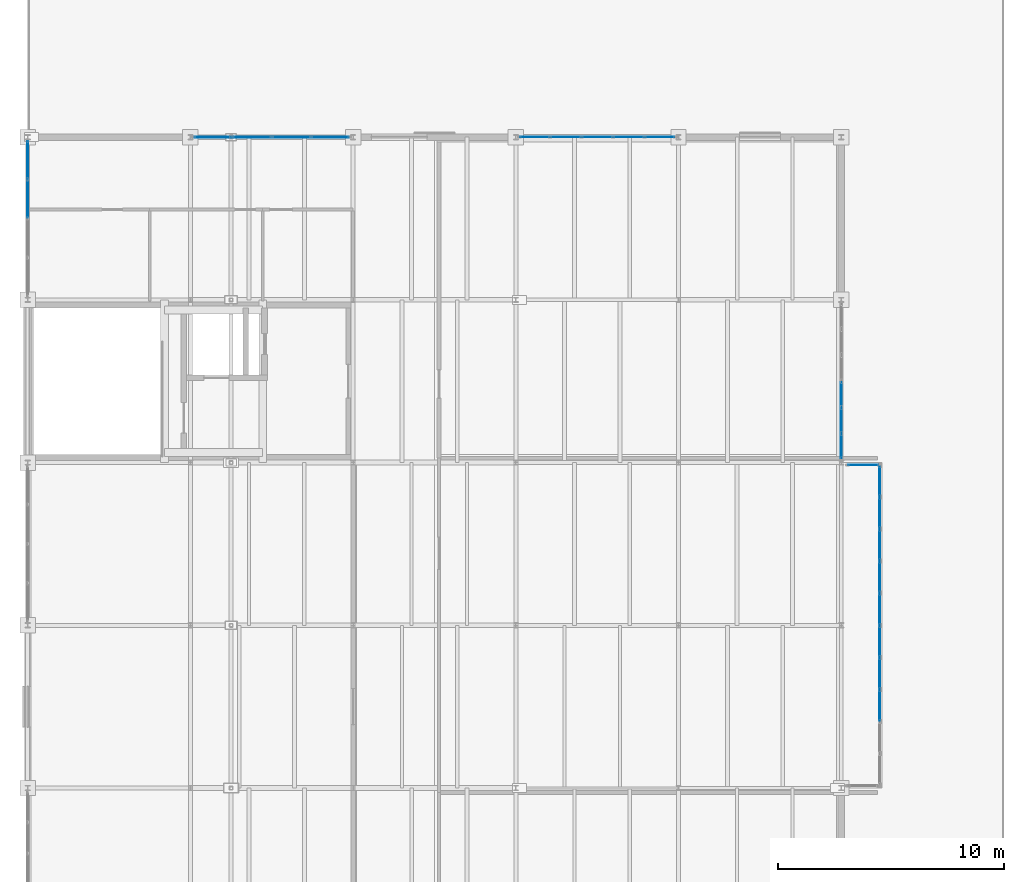
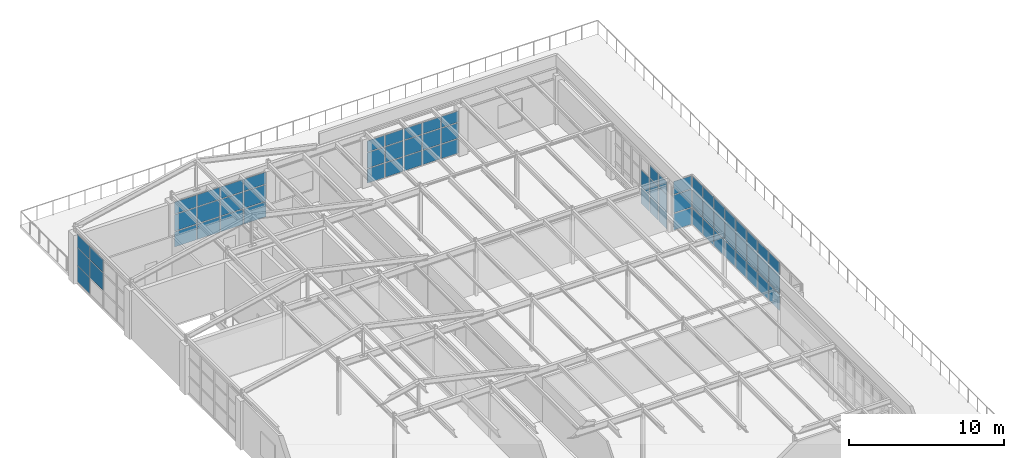
# One storey, part 38 of 43: 67 plates, 6 elements without a shape of their own.
"""IFC4 building model written with IfcOpenShell, lengths in metres."""

from ifc_helpers import new_model, si_unit, direction, frame, origin, origin_2d, place, context, subcontext, project, spatial, rectangle, extrude, material, layer, layer_set, type_object, element, aggregate, save


model = new_model("IFC4")

# Units and contexts
model_context = context("Model", 3, precision=1e-05, world=origin(), true_north=direction((0.0, 1.0)))
body_context = subcontext(model_context, "Body", "Model", "MODEL_VIEW")
ifc_project = project(units=[si_unit("LENGTHUNIT", "METRE"), si_unit("AREAUNIT", "SQUARE_METRE"), si_unit("VOLUMEUNIT", "CUBIC_METRE"), si_unit("PLANEANGLEUNIT", "RADIAN"), si_unit("MASSUNIT", "GRAM", prefix="KILO")], contexts=[model_context])

# Site, building, storey
site_placement = place(None, origin())
site = spatial("IfcSite", under=ifc_project, at=site_placement, CompositionType="ELEMENT")
building_placement = place(site_placement, origin())
building = spatial("IfcBuilding", under=site, at=building_placement, Name="Kemerveld Promenade Tramway Depot", CompositionType="ELEMENT")
storey_placement = place(building_placement, frame((0.0, 0.0, 18.89990234375)))
storey = spatial("IfcBuildingStorey", under=building, at=storey_placement, Name="L04", CompositionType="ELEMENT", Elevation=18.89990234375)

# Curtain wall, plates
ifc_material_1 = material(Name="Bronze anodised aluminium and solar glass", Category="aluminium")
ifc_layer_1 = layer(ifc_material_1, 0.199951171875)
ifc_layer_set_1 = layer_set([ifc_layer_1], Name="CW-SYS-02")
curtain_wall_type_1 = type_object("IfcCurtainWallType", Name="CW-SYS-02", PredefinedType="USERDEFINED", material=ifc_layer_set_1)
curtain_wall_1_placement = place(storey_placement, origin())
curtain_wall_1 = element("IfcCurtainWall", 1, at=curtain_wall_1_placement, inside=storey, type_object=curtain_wall_type_1, Name="CW-L04-CUMBA-E", ObjectType="GLAZED_CURTAIN_WALL", PredefinedType="USERDEFINED")
ifc_material_2 = material(Name="Solar-control laminated double glazing", Category="glass")
ifc_layer_2 = layer(ifc_material_2, 0.028076171875)
ifc_layer_set_2 = layer_set([ifc_layer_2], Name="CW-PNL-02")
plate_type_1 = type_object("IfcPlateType", Name="CW-PNL-02", PredefinedType="CURTAIN_PANEL", material=ifc_layer_set_2)
plate_1_placement = place(storey_placement, frame((37.699951171875, 42.371337890625, 0.06494140625), z_axis=(0.0, 0.0, 1.0), x_axis=(0.0, -1.0, 0.0)))
plate_1 = element("IfcPlate", 2, at=plate_1_placement, type_object=plate_type_1, Name="CW02 panel 1.1", PredefinedType="CURTAIN_PANEL", context=body_context, shape_type="SweptSolid", body=[
    extrude(rectangle(XDim=1.3076171875, YDim=0.028076171875, at=origin_2d()), origin(), (0.0, 0.0, 1.0), 1.284423828125),
])
plate_2_placement = place(storey_placement, frame((37.699951171875, 42.371337890625, 1.41455078125), z_axis=(0.0, 0.0, 1.0), x_axis=(0.0, -1.0, 0.0)))
plate_2 = element("IfcPlate", 3, at=plate_2_placement, type_object=plate_type_1, Name="CW02 panel 1.2", PredefinedType="CURTAIN_PANEL", context=body_context, shape_type="SweptSolid", body=[
    extrude(rectangle(XDim=1.3076171875, YDim=0.028076171875, at=origin_2d()), origin(), (0.0, 0.0, 1.0), 1.39697265625),
])
plate_3_placement = place(storey_placement, frame((37.699951171875, 42.371337890625, 2.87646484375), z_axis=(0.0, 0.0, 1.0), x_axis=(0.0, -1.0, 0.0)))
plate_3 = element("IfcPlate", 4, at=plate_3_placement, type_object=plate_type_1, Name="CW02 panel 1.3", PredefinedType="CURTAIN_PANEL", context=body_context, shape_type="SweptSolid", body=[
    extrude(rectangle(XDim=1.3076171875, YDim=0.028076171875, at=origin_2d()), origin(), (0.0, 0.0, 1.0), 1.008544921875),
])
plate_4_placement = place(storey_placement, frame((37.699951171875, 40.969970703125, 0.06494140625), z_axis=(0.0, 0.0, 1.0), x_axis=(0.0, -1.0, 0.0)))
plate_4 = element("IfcPlate", 5, at=plate_4_placement, type_object=plate_type_1, Name="CW02 panel 2.1", PredefinedType="CURTAIN_PANEL", context=body_context, shape_type="SweptSolid", body=[
    extrude(rectangle(XDim=1.344970703125, YDim=0.028076171875, at=origin_2d()), origin(), (0.0, 0.0, 1.0), 1.284423828125),
])
plate_5_placement = place(storey_placement, frame((37.699951171875, 40.969970703125, 1.41455078125), z_axis=(0.0, 0.0, 1.0), x_axis=(0.0, -1.0, 0.0)))
plate_5 = element("IfcPlate", 6, at=plate_5_placement, type_object=plate_type_1, Name="CW02 panel 2.2", PredefinedType="CURTAIN_PANEL", context=body_context, shape_type="SweptSolid", body=[
    extrude(rectangle(XDim=1.344970703125, YDim=0.028076171875, at=origin_2d()), origin(), (0.0, 0.0, 1.0), 1.39697265625),
])
plate_6_placement = place(storey_placement, frame((37.699951171875, 40.969970703125, 2.87646484375), z_axis=(0.0, 0.0, 1.0), x_axis=(0.0, -1.0, 0.0)))
plate_6 = element("IfcPlate", 7, at=plate_6_placement, type_object=plate_type_1, Name="CW02 panel 2.3", PredefinedType="CURTAIN_PANEL", context=body_context, shape_type="SweptSolid", body=[
    extrude(rectangle(XDim=1.344970703125, YDim=0.028076171875, at=origin_2d()), origin(), (0.0, 0.0, 1.0), 1.008544921875),
])
plate_7_placement = place(storey_placement, frame((37.699951171875, 39.550048828125, 0.06494140625), z_axis=(0.0, 0.0, 1.0), x_axis=(0.0, -1.0, 0.0)))
plate_7 = element("IfcPlate", 8, at=plate_7_placement, type_object=plate_type_1, Name="CW02 panel 3.1", PredefinedType="CURTAIN_PANEL", context=body_context, shape_type="SweptSolid", body=[
    extrude(rectangle(XDim=1.344970703125, YDim=0.028076171875, at=origin_2d()), origin(), (0.0, 0.0, 1.0), 1.284423828125),
])
plate_8_placement = place(storey_placement, frame((37.699951171875, 39.550048828125, 1.41455078125), z_axis=(0.0, 0.0, 1.0), x_axis=(0.0, -1.0, 0.0)))
plate_8 = element("IfcPlate", 9, at=plate_8_placement, type_object=plate_type_1, Name="CW02 panel 3.2", PredefinedType="CURTAIN_PANEL", context=body_context, shape_type="SweptSolid", body=[
    extrude(rectangle(XDim=1.344970703125, YDim=0.028076171875, at=origin_2d()), origin(), (0.0, 0.0, 1.0), 1.39697265625),
])
plate_9_placement = place(storey_placement, frame((37.699951171875, 39.550048828125, 2.87646484375), z_axis=(0.0, 0.0, 1.0), x_axis=(0.0, -1.0, 0.0)))
plate_9 = element("IfcPlate", 10, at=plate_9_placement, type_object=plate_type_1, Name="CW02 panel 3.3", PredefinedType="CURTAIN_PANEL", context=body_context, shape_type="SweptSolid", body=[
    extrude(rectangle(XDim=1.344970703125, YDim=0.028076171875, at=origin_2d()), origin(), (0.0, 0.0, 1.0), 1.008544921875),
])
plate_10_placement = place(storey_placement, frame((37.699951171875, 38.1298828125, 0.06494140625), z_axis=(0.0, 0.0, 1.0), x_axis=(0.0, -1.0, 0.0)))
plate_10 = element("IfcPlate", 11, at=plate_10_placement, type_object=plate_type_1, Name="CW02 panel 4.1", PredefinedType="CURTAIN_PANEL", context=body_context, shape_type="SweptSolid", body=[
    extrude(rectangle(XDim=1.344970703125, YDim=0.028076171875, at=origin_2d()), origin(), (0.0, 0.0, 1.0), 1.284423828125),
])
plate_11_placement = place(storey_placement, frame((37.699951171875, 38.1298828125, 1.41455078125), z_axis=(0.0, 0.0, 1.0), x_axis=(0.0, -1.0, 0.0)))
plate_11 = element("IfcPlate", 12, at=plate_11_placement, type_object=plate_type_1, Name="CW02 panel 4.2", PredefinedType="CURTAIN_PANEL", context=body_context, shape_type="SweptSolid", body=[
    extrude(rectangle(XDim=1.344970703125, YDim=0.028076171875, at=origin_2d()), origin(), (0.0, 0.0, 1.0), 1.39697265625),
])
plate_12_placement = place(storey_placement, frame((37.699951171875, 38.1298828125, 2.87646484375), z_axis=(0.0, 0.0, 1.0), x_axis=(0.0, -1.0, 0.0)))
plate_12 = element("IfcPlate", 13, at=plate_12_placement, type_object=plate_type_1, Name="CW02 panel 4.3", PredefinedType="CURTAIN_PANEL", context=body_context, shape_type="SweptSolid", body=[
    extrude(rectangle(XDim=1.344970703125, YDim=0.028076171875, at=origin_2d()), origin(), (0.0, 0.0, 1.0), 1.008544921875),
])
plate_13_placement = place(storey_placement, frame((37.699951171875, 36.7099609375, 0.06494140625), z_axis=(0.0, 0.0, 1.0), x_axis=(0.0, -1.0, 0.0)))
plate_13 = element("IfcPlate", 14, at=plate_13_placement, type_object=plate_type_1, Name="CW02 panel 5.1", PredefinedType="CURTAIN_PANEL", context=body_context, shape_type="SweptSolid", body=[
    extrude(rectangle(XDim=1.344970703125, YDim=0.028076171875, at=origin_2d()), origin(), (0.0, 0.0, 1.0), 1.284423828125),
])
plate_14_placement = place(storey_placement, frame((37.699951171875, 36.7099609375, 1.41455078125), z_axis=(0.0, 0.0, 1.0), x_axis=(0.0, -1.0, 0.0)))
plate_14 = element("IfcPlate", 15, at=plate_14_placement, type_object=plate_type_1, Name="CW02 panel 5.2", PredefinedType="CURTAIN_PANEL", context=body_context, shape_type="SweptSolid", body=[
    extrude(rectangle(XDim=1.344970703125, YDim=0.028076171875, at=origin_2d()), origin(), (0.0, 0.0, 1.0), 1.39697265625),
])
plate_15_placement = place(storey_placement, frame((37.699951171875, 36.7099609375, 2.87646484375), z_axis=(0.0, 0.0, 1.0), x_axis=(0.0, -1.0, 0.0)))
plate_15 = element("IfcPlate", 16, at=plate_15_placement, type_object=plate_type_1, Name="CW02 panel 5.3", PredefinedType="CURTAIN_PANEL", context=body_context, shape_type="SweptSolid", body=[
    extrude(rectangle(XDim=1.344970703125, YDim=0.028076171875, at=origin_2d()), origin(), (0.0, 0.0, 1.0), 1.008544921875),
])
plate_16_placement = place(storey_placement, frame((37.699951171875, 35.2900390625, 0.06494140625), z_axis=(0.0, 0.0, 1.0), x_axis=(0.0, -1.0, 0.0)))
plate_16 = element("IfcPlate", 17, at=plate_16_placement, type_object=plate_type_1, Name="CW02 panel 6.1", PredefinedType="CURTAIN_PANEL", context=body_context, shape_type="SweptSolid", body=[
    extrude(rectangle(XDim=1.344970703125, YDim=0.028076171875, at=origin_2d()), origin(), (0.0, 0.0, 1.0), 1.284423828125),
])
plate_17_placement = place(storey_placement, frame((37.699951171875, 35.2900390625, 1.41455078125), z_axis=(0.0, 0.0, 1.0), x_axis=(0.0, -1.0, 0.0)))
plate_17 = element("IfcPlate", 18, at=plate_17_placement, type_object=plate_type_1, Name="CW02 panel 6.2", PredefinedType="CURTAIN_PANEL", context=body_context, shape_type="SweptSolid", body=[
    extrude(rectangle(XDim=1.344970703125, YDim=0.028076171875, at=origin_2d()), origin(), (0.0, 0.0, 1.0), 1.39697265625),
])
plate_18_placement = place(storey_placement, frame((37.699951171875, 35.2900390625, 2.87646484375), z_axis=(0.0, 0.0, 1.0), x_axis=(0.0, -1.0, 0.0)))
plate_18 = element("IfcPlate", 19, at=plate_18_placement, type_object=plate_type_1, Name="CW02 panel 6.3", PredefinedType="CURTAIN_PANEL", context=body_context, shape_type="SweptSolid", body=[
    extrude(rectangle(XDim=1.344970703125, YDim=0.028076171875, at=origin_2d()), origin(), (0.0, 0.0, 1.0), 1.008544921875),
])
plate_19_placement = place(storey_placement, frame((37.699951171875, 33.8701171875, 0.06494140625), z_axis=(0.0, 0.0, 1.0), x_axis=(0.0, -1.0, 0.0)))
plate_19 = element("IfcPlate", 20, at=plate_19_placement, type_object=plate_type_1, Name="CW02 panel 7.1", PredefinedType="CURTAIN_PANEL", context=body_context, shape_type="SweptSolid", body=[
    extrude(rectangle(XDim=1.344970703125, YDim=0.028076171875, at=origin_2d()), origin(), (0.0, 0.0, 1.0), 1.284423828125),
])
plate_20_placement = place(storey_placement, frame((37.699951171875, 33.8701171875, 1.41455078125), z_axis=(0.0, 0.0, 1.0), x_axis=(0.0, -1.0, 0.0)))
plate_20 = element("IfcPlate", 21, at=plate_20_placement, type_object=plate_type_1, Name="CW02 panel 7.2", PredefinedType="CURTAIN_PANEL", context=body_context, shape_type="SweptSolid", body=[
    extrude(rectangle(XDim=1.344970703125, YDim=0.028076171875, at=origin_2d()), origin(), (0.0, 0.0, 1.0), 1.39697265625),
])
plate_21_placement = place(storey_placement, frame((37.699951171875, 33.8701171875, 2.87646484375), z_axis=(0.0, 0.0, 1.0), x_axis=(0.0, -1.0, 0.0)))
plate_21 = element("IfcPlate", 22, at=plate_21_placement, type_object=plate_type_1, Name="CW02 panel 7.3", PredefinedType="CURTAIN_PANEL", context=body_context, shape_type="SweptSolid", body=[
    extrude(rectangle(XDim=1.344970703125, YDim=0.028076171875, at=origin_2d()), origin(), (0.0, 0.0, 1.0), 1.008544921875),
])
plate_22_placement = place(storey_placement, frame((37.699951171875, 32.449951171875, 0.06494140625), z_axis=(0.0, 0.0, 1.0), x_axis=(0.0, -1.0, 0.0)))
plate_22 = element("IfcPlate", 23, at=plate_22_placement, type_object=plate_type_1, Name="CW02 panel 8.1", PredefinedType="CURTAIN_PANEL", context=body_context, shape_type="SweptSolid", body=[
    extrude(rectangle(XDim=1.344970703125, YDim=0.028076171875, at=origin_2d()), origin(), (0.0, 0.0, 1.0), 1.284423828125),
])
plate_23_placement = place(storey_placement, frame((37.699951171875, 32.449951171875, 1.41455078125), z_axis=(0.0, 0.0, 1.0), x_axis=(0.0, -1.0, 0.0)))
plate_23 = element("IfcPlate", 24, at=plate_23_placement, type_object=plate_type_1, Name="CW02 panel 8.2", PredefinedType="CURTAIN_PANEL", context=body_context, shape_type="SweptSolid", body=[
    extrude(rectangle(XDim=1.344970703125, YDim=0.028076171875, at=origin_2d()), origin(), (0.0, 0.0, 1.0), 1.39697265625),
])
plate_24_placement = place(storey_placement, frame((37.699951171875, 32.449951171875, 2.87646484375), z_axis=(0.0, 0.0, 1.0), x_axis=(0.0, -1.0, 0.0)))
plate_24 = element("IfcPlate", 25, at=plate_24_placement, type_object=plate_type_1, Name="CW02 panel 8.3", PredefinedType="CURTAIN_PANEL", context=body_context, shape_type="SweptSolid", body=[
    extrude(rectangle(XDim=1.344970703125, YDim=0.028076171875, at=origin_2d()), origin(), (0.0, 0.0, 1.0), 1.008544921875),
])
aggregate(curtain_wall_1, [plate_1, plate_2, plate_3, plate_4, plate_5, plate_6, plate_7, plate_8, plate_9, plate_10, plate_11, plate_12, plate_13, plate_14, plate_15, plate_16, plate_17, plate_18, plate_19, plate_20, plate_21, plate_22, plate_23, plate_24])

ifc_layer_3 = layer(ifc_material_1, 0.159912109375)
ifc_layer_set_3 = layer_set([ifc_layer_3], Name="CW-SYS-11")
curtain_wall_type_2 = type_object("IfcCurtainWallType", Name="CW-SYS-11", PredefinedType="USERDEFINED", material=ifc_layer_set_3)
curtain_wall_2_placement = place(storey_placement, origin())
curtain_wall_2 = element("IfcCurtainWall", 26, at=curtain_wall_2_placement, inside=storey, type_object=curtain_wall_type_2, Name="CW-L04-V5W-08", ObjectType="GLAZED_CURTAIN_WALL", PredefinedType="USERDEFINED")
ifc_layer_4 = layer(ifc_material_2, 0.028076171875)
ifc_layer_set_4 = layer_set([ifc_layer_4], Name="CW-PNL-03")
plate_type_2 = type_object("IfcPlateType", Name="CW-PNL-03", PredefinedType="CURTAIN_PANEL", material=ifc_layer_set_4)
plate_25_placement = place(storey_placement, frame((0.0, 54.868896484375, 1.376953125), z_axis=(0.0, 0.0, 1.0), x_axis=(0.0, 1.0, 0.0)))
plate_25 = element("IfcPlate", 27, at=plate_25_placement, type_object=plate_type_2, Name="CW11 panel 3.2", PredefinedType="CURTAIN_PANEL", context=body_context, shape_type="SweptSolid", body=[
    extrude(rectangle(XDim=1.672607421875, YDim=0.028076171875, at=origin_2d()), origin(), (0.0, 0.0, 1.0), 1.364990234375),
])
plate_26_placement = place(storey_placement, frame((0.0, 54.868896484375, 2.80224609375), z_axis=(0.0, 0.0, 1.0), x_axis=(0.0, 1.0, 0.0)))
plate_26 = element("IfcPlate", 28, at=plate_26_placement, type_object=plate_type_2, Name="CW11 panel 3.3", PredefinedType="CURTAIN_PANEL", context=body_context, shape_type="SweptSolid", body=[
    extrude(rectangle(XDim=1.672607421875, YDim=0.028076171875, at=origin_2d()), origin(), (0.0, 0.0, 1.0), 0.988037109375),
])
plate_27_placement = place(storey_placement, frame((0.0, 56.590087890625, 0.06005859375), z_axis=(0.0, 0.0, 1.0), x_axis=(0.0, 1.0, 0.0)))
plate_27 = element("IfcPlate", 29, at=plate_27_placement, type_object=plate_type_2, Name="CW11 panel 4.1", PredefinedType="CURTAIN_PANEL", context=body_context, shape_type="SweptSolid", body=[
    extrude(rectangle(XDim=1.64013671875, YDim=0.028076171875, at=origin_2d()), origin(), (0.0, 0.0, 1.0), 1.257080078125),
])
plate_28_placement = place(storey_placement, frame((0.0, 56.590087890625, 1.376953125), z_axis=(0.0, 0.0, 1.0), x_axis=(0.0, 1.0, 0.0)))
plate_28 = element("IfcPlate", 30, at=plate_28_placement, type_object=plate_type_2, Name="CW11 panel 4.2", PredefinedType="CURTAIN_PANEL", context=body_context, shape_type="SweptSolid", body=[
    extrude(rectangle(XDim=1.64013671875, YDim=0.028076171875, at=origin_2d()), origin(), (0.0, 0.0, 1.0), 1.364990234375),
])
plate_29_placement = place(storey_placement, frame((0.0, 56.590087890625, 2.80224609375), z_axis=(0.0, 0.0, 1.0), x_axis=(0.0, 1.0, 0.0)))
plate_29 = element("IfcPlate", 31, at=plate_29_placement, type_object=plate_type_2, Name="CW11 panel 4.3", PredefinedType="CURTAIN_PANEL", context=body_context, shape_type="SweptSolid", body=[
    extrude(rectangle(XDim=1.64013671875, YDim=0.028076171875, at=origin_2d()), origin(), (0.0, 0.0, 1.0), 0.988037109375),
])
aggregate(curtain_wall_2, [plate_25, plate_26, plate_27, plate_28, plate_29])

ifc_layer_5 = layer(ifc_material_1, 0.159912109375)
ifc_layer_set_5 = layer_set([ifc_layer_5], Name="CW-SYS-03")
curtain_wall_type_3 = type_object("IfcCurtainWallType", Name="CW-SYS-03", PredefinedType="USERDEFINED", material=ifc_layer_set_5)
curtain_wall_3_placement = place(storey_placement, origin())
curtain_wall_3 = element("IfcCurtainWall", 32, at=curtain_wall_3_placement, inside=storey, type_object=curtain_wall_type_3, Name="CW-L04-CUMBA-N", ObjectType="GLAZED_CURTAIN_WALL", PredefinedType="USERDEFINED")
plate_30_placement = place(storey_placement, frame((36.97509765625, 43.10009765625, 0.06005859375), z_axis=(0.0, 0.0, 1.0), x_axis=(1.0, 0.0, 0.0)))
plate_30 = element("IfcPlate", 33, at=plate_30_placement, type_object=plate_type_2, Name="CW03 panel 1.1", PredefinedType="CURTAIN_PANEL", context=body_context, shape_type="SweptSolid", body=[
    extrude(rectangle(XDim=1.320068359375, YDim=0.028076171875, at=origin_2d()), origin(), (0.0, 0.0, 1.0), 1.2919921875),
])
plate_31_placement = place(storey_placement, frame((36.97509765625, 43.10009765625, 1.412109375), z_axis=(0.0, 0.0, 1.0), x_axis=(1.0, 0.0, 0.0)))
plate_31 = element("IfcPlate", 34, at=plate_31_placement, type_object=plate_type_2, Name="CW03 panel 1.2", PredefinedType="CURTAIN_PANEL", context=body_context, shape_type="SweptSolid", body=[
    extrude(rectangle(XDim=1.320068359375, YDim=0.028076171875, at=origin_2d()), origin(), (0.0, 0.0, 1.0), 1.402099609375),
])
plate_32_placement = place(storey_placement, frame((36.97509765625, 43.10009765625, 2.8740234375), z_axis=(0.0, 0.0, 1.0), x_axis=(1.0, 0.0, 0.0)))
plate_32 = element("IfcPlate", 35, at=plate_32_placement, type_object=plate_type_2, Name="CW03 panel 1.3", PredefinedType="CURTAIN_PANEL", context=body_context, shape_type="SweptSolid", body=[
    extrude(rectangle(XDim=1.320068359375, YDim=0.028076171875, at=origin_2d()), origin(), (0.0, 0.0, 1.0), 1.01611328125),
])
aggregate(curtain_wall_3, [plate_30, plate_31, plate_32])

ifc_layer_6 = layer(ifc_material_1, 0.159912109375)
ifc_layer_set_6 = layer_set([ifc_layer_6], Name="CW-SYS-05")
curtain_wall_type_4 = type_object("IfcCurtainWallType", Name="CW-SYS-05", PredefinedType="USERDEFINED", material=ifc_layer_set_6)
curtain_wall_4_placement = place(storey_placement, origin())
curtain_wall_4 = element("IfcCurtainWall", 36, at=curtain_wall_4_placement, inside=storey, type_object=curtain_wall_type_4, Name="CW-L04-V5N-02", ObjectType="GLAZED_CURTAIN_WALL", PredefinedType="USERDEFINED")
ifc_layer_7 = layer(ifc_material_2, 0.031982421875)
ifc_layer_set_7 = layer_set([ifc_layer_7], Name="CW-PNL-05")
plate_type_3 = type_object("IfcPlateType", Name="CW-PNL-05", PredefinedType="CURTAIN_PANEL", material=ifc_layer_set_7)
plate_33_placement = place(storey_placement, frame((8.2099609375, 57.60009765625, 0.06005859375), z_axis=(0.0, 0.0, 1.0), x_axis=(1.0, 0.0, 0.0)))
plate_33 = element("IfcPlate", 37, at=plate_33_placement, type_object=plate_type_3, Name="CW05 panel 1.1", PredefinedType="CURTAIN_PANEL", context=body_context, shape_type="SweptSolid", body=[
    extrude(rectangle(XDim=1.64013671875, YDim=0.031982421875, at=origin_2d()), origin(), (0.0, 0.0, 1.0), 1.18994140625),
])
plate_34_placement = place(storey_placement, frame((8.2099609375, 57.60009765625, 1.31005859375), z_axis=(0.0, 0.0, 1.0), x_axis=(1.0, 0.0, 0.0)))
plate_34 = element("IfcPlate", 38, at=plate_34_placement, type_object=plate_type_3, Name="CW05 panel 1.2", PredefinedType="CURTAIN_PANEL", context=body_context, shape_type="SweptSolid", body=[
    extrude(rectangle(XDim=1.64013671875, YDim=0.031982421875, at=origin_2d()), origin(), (0.0, 0.0, 1.0), 1.2939453125),
])
plate_35_placement = place(storey_placement, frame((8.2099609375, 57.60009765625, 2.6640625), z_axis=(0.0, 0.0, 1.0), x_axis=(1.0, 0.0, 0.0)))
plate_35 = element("IfcPlate", 39, at=plate_35_placement, type_object=plate_type_3, Name="CW05 panel 1.3", PredefinedType="CURTAIN_PANEL", context=body_context, shape_type="SweptSolid", body=[
    extrude(rectangle(XDim=1.64013671875, YDim=0.031982421875, at=origin_2d()), origin(), (0.0, 0.0, 1.0), 0.93408203125),
])
plate_36_placement = place(storey_placement, frame((9.93115234375, 57.60009765625, 0.06005859375), z_axis=(0.0, 0.0, 1.0), x_axis=(1.0, 0.0, 0.0)))
plate_36 = element("IfcPlate", 40, at=plate_36_placement, type_object=plate_type_3, Name="CW05 panel 2.1", PredefinedType="CURTAIN_PANEL", context=body_context, shape_type="SweptSolid", body=[
    extrude(rectangle(XDim=1.672607421875, YDim=0.031982421875, at=origin_2d()), origin(), (0.0, 0.0, 1.0), 1.18994140625),
])
plate_37_placement = place(storey_placement, frame((9.93115234375, 57.60009765625, 1.31005859375), z_axis=(0.0, 0.0, 1.0), x_axis=(1.0, 0.0, 0.0)))
plate_37 = element("IfcPlate", 41, at=plate_37_placement, type_object=plate_type_3, Name="CW05 panel 2.2", PredefinedType="CURTAIN_PANEL", context=body_context, shape_type="SweptSolid", body=[
    extrude(rectangle(XDim=1.672607421875, YDim=0.031982421875, at=origin_2d()), origin(), (0.0, 0.0, 1.0), 1.2939453125),
])
plate_38_placement = place(storey_placement, frame((9.93115234375, 57.60009765625, 2.6640625), z_axis=(0.0, 0.0, 1.0), x_axis=(1.0, 0.0, 0.0)))
plate_38 = element("IfcPlate", 42, at=plate_38_placement, type_object=plate_type_3, Name="CW05 panel 2.3", PredefinedType="CURTAIN_PANEL", context=body_context, shape_type="SweptSolid", body=[
    extrude(rectangle(XDim=1.672607421875, YDim=0.031982421875, at=origin_2d()), origin(), (0.0, 0.0, 1.0), 0.93408203125),
])
plate_39_placement = place(storey_placement, frame((11.668701171875, 57.60009765625, 0.06005859375), z_axis=(0.0, 0.0, 1.0), x_axis=(1.0, 0.0, 0.0)))
plate_39 = element("IfcPlate", 43, at=plate_39_placement, type_object=plate_type_3, Name="CW05 panel 3.1", PredefinedType="CURTAIN_PANEL", context=body_context, shape_type="SweptSolid", body=[
    extrude(rectangle(XDim=1.672607421875, YDim=0.031982421875, at=origin_2d()), origin(), (0.0, 0.0, 1.0), 1.18994140625),
])
plate_40_placement = place(storey_placement, frame((11.668701171875, 57.60009765625, 1.31005859375), z_axis=(0.0, 0.0, 1.0), x_axis=(1.0, 0.0, 0.0)))
plate_40 = element("IfcPlate", 44, at=plate_40_placement, type_object=plate_type_3, Name="CW05 panel 3.2", PredefinedType="CURTAIN_PANEL", context=body_context, shape_type="SweptSolid", body=[
    extrude(rectangle(XDim=1.672607421875, YDim=0.031982421875, at=origin_2d()), origin(), (0.0, 0.0, 1.0), 1.2939453125),
])
plate_41_placement = place(storey_placement, frame((11.668701171875, 57.60009765625, 2.6640625), z_axis=(0.0, 0.0, 1.0), x_axis=(1.0, 0.0, 0.0)))
plate_41 = element("IfcPlate", 45, at=plate_41_placement, type_object=plate_type_3, Name="CW05 panel 3.3", PredefinedType="CURTAIN_PANEL", context=body_context, shape_type="SweptSolid", body=[
    extrude(rectangle(XDim=1.672607421875, YDim=0.031982421875, at=origin_2d()), origin(), (0.0, 0.0, 1.0), 0.93408203125),
])
plate_42_placement = place(storey_placement, frame((13.39013671875, 57.60009765625, 0.06005859375), z_axis=(0.0, 0.0, 1.0), x_axis=(1.0, 0.0, 0.0)))
plate_42 = element("IfcPlate", 46, at=plate_42_placement, type_object=plate_type_3, Name="CW05 panel 4.1", PredefinedType="CURTAIN_PANEL", context=body_context, shape_type="SweptSolid", body=[
    extrude(rectangle(XDim=1.64013671875, YDim=0.031982421875, at=origin_2d()), origin(), (0.0, 0.0, 1.0), 1.18994140625),
])
plate_43_placement = place(storey_placement, frame((13.39013671875, 57.60009765625, 1.31005859375), z_axis=(0.0, 0.0, 1.0), x_axis=(1.0, 0.0, 0.0)))
plate_43 = element("IfcPlate", 47, at=plate_43_placement, type_object=plate_type_3, Name="CW05 panel 4.2", PredefinedType="CURTAIN_PANEL", context=body_context, shape_type="SweptSolid", body=[
    extrude(rectangle(XDim=1.64013671875, YDim=0.031982421875, at=origin_2d()), origin(), (0.0, 0.0, 1.0), 1.2939453125),
])
plate_44_placement = place(storey_placement, frame((13.39013671875, 57.60009765625, 2.6640625), z_axis=(0.0, 0.0, 1.0), x_axis=(1.0, 0.0, 0.0)))
plate_44 = element("IfcPlate", 48, at=plate_44_placement, type_object=plate_type_3, Name="CW05 panel 4.3", PredefinedType="CURTAIN_PANEL", context=body_context, shape_type="SweptSolid", body=[
    extrude(rectangle(XDim=1.64013671875, YDim=0.031982421875, at=origin_2d()), origin(), (0.0, 0.0, 1.0), 0.93408203125),
])
aggregate(curtain_wall_4, [plate_33, plate_34, plate_35, plate_36, plate_37, plate_38, plate_39, plate_40, plate_41, plate_42, plate_43, plate_44])

ifc_layer_8 = layer(ifc_material_1, 0.199951171875)
ifc_layer_set_8 = layer_set([ifc_layer_8], Name="CW-SYS-06")
curtain_wall_type_5 = type_object("IfcCurtainWallType", Name="CW-SYS-06", PredefinedType="USERDEFINED", material=ifc_layer_set_8)
curtain_wall_5_placement = place(storey_placement, origin())
curtain_wall_5 = element("IfcCurtainWall", 49, at=curtain_wall_5_placement, inside=storey, type_object=curtain_wall_type_5, Name="CW-L04-V5EN-02", ObjectType="GLAZED_CURTAIN_WALL", PredefinedType="USERDEFINED")
ifc_layer_9 = layer(ifc_material_2, 0.02587890625)
ifc_layer_set_9 = layer_set([ifc_layer_9], Name="CW-PNL-06")
plate_type_4 = type_object("IfcPlateType", Name="CW-PNL-06", PredefinedType="CURTAIN_PANEL", material=ifc_layer_set_9)
plate_45_placement = place(storey_placement, frame((36.0, 46.220703125, 0.065185546875), z_axis=(0.0, 0.0, 1.0), x_axis=(0.0, -1.0, 0.0)))
plate_45 = element("IfcPlate", 50, at=plate_45_placement, type_object=plate_type_4, Name="CW06 panel 4.1", PredefinedType="CURTAIN_PANEL", context=body_context, shape_type="SweptSolid", body=[
    extrude(rectangle(XDim=1.08349609375, YDim=0.02587890625, at=origin_2d()), origin(), (0.0, 0.0, 1.0), 1.24951171875),
])
plate_46_placement = place(storey_placement, frame((36.0, 46.220703125, 1.37939453125), z_axis=(0.0, 0.0, 1.0), x_axis=(0.0, -1.0, 0.0)))
plate_46 = element("IfcPlate", 51, at=plate_46_placement, type_object=plate_type_4, Name="CW06 panel 4.2", PredefinedType="CURTAIN_PANEL", context=body_context, shape_type="SweptSolid", body=[
    extrude(rectangle(XDim=1.08349609375, YDim=0.02587890625, at=origin_2d()), origin(), (0.0, 0.0, 1.0), 1.360107421875),
])
plate_47_placement = place(storey_placement, frame((36.0, 45.0625, 0.065185546875), z_axis=(0.0, 0.0, 1.0), x_axis=(0.0, -1.0, 0.0)))
plate_47 = element("IfcPlate", 52, at=plate_47_placement, type_object=plate_type_4, Name="CW06 panel 5.1", PredefinedType="CURTAIN_PANEL", context=body_context, shape_type="SweptSolid", body=[
    extrude(rectangle(XDim=1.08349609375, YDim=0.02587890625, at=origin_2d()), origin(), (0.0, 0.0, 1.0), 1.24951171875),
])
plate_48_placement = place(storey_placement, frame((36.0, 45.0625, 1.37939453125), z_axis=(0.0, 0.0, 1.0), x_axis=(0.0, -1.0, 0.0)))
plate_48 = element("IfcPlate", 53, at=plate_48_placement, type_object=plate_type_4, Name="CW06 panel 5.2", PredefinedType="CURTAIN_PANEL", context=body_context, shape_type="SweptSolid", body=[
    extrude(rectangle(XDim=1.08349609375, YDim=0.02587890625, at=origin_2d()), origin(), (0.0, 0.0, 1.0), 1.360107421875),
])
plate_49_placement = place(storey_placement, frame((36.0, 45.0625, 2.8046875), z_axis=(0.0, 0.0, 1.0), x_axis=(0.0, -1.0, 0.0)))
plate_49 = element("IfcPlate", 54, at=plate_49_placement, type_object=plate_type_4, Name="CW06 panel 5.3", PredefinedType="CURTAIN_PANEL", context=body_context, shape_type="SweptSolid", body=[
    extrude(rectangle(XDim=1.08349609375, YDim=0.02587890625, at=origin_2d()), origin(), (0.0, 0.0, 1.0), 0.98046875),
])
plate_50_placement = place(storey_placement, frame((36.0, 43.9228515625, 0.065185546875), z_axis=(0.0, 0.0, 1.0), x_axis=(0.0, -1.0, 0.0)))
plate_50 = element("IfcPlate", 55, at=plate_50_placement, type_object=plate_type_4, Name="CW06 panel 6.1", PredefinedType="CURTAIN_PANEL", context=body_context, shape_type="SweptSolid", body=[
    extrude(rectangle(XDim=1.0458984375, YDim=0.02587890625, at=origin_2d()), origin(), (0.0, 0.0, 1.0), 1.24951171875),
])
plate_51_placement = place(storey_placement, frame((36.0, 43.9228515625, 1.37939453125), z_axis=(0.0, 0.0, 1.0), x_axis=(0.0, -1.0, 0.0)))
plate_51 = element("IfcPlate", 56, at=plate_51_placement, type_object=plate_type_4, Name="CW06 panel 6.2", PredefinedType="CURTAIN_PANEL", context=body_context, shape_type="SweptSolid", body=[
    extrude(rectangle(XDim=1.0458984375, YDim=0.02587890625, at=origin_2d()), origin(), (0.0, 0.0, 1.0), 1.360107421875),
])
plate_52_placement = place(storey_placement, frame((36.0, 43.9228515625, 2.8046875), z_axis=(0.0, 0.0, 1.0), x_axis=(0.0, -1.0, 0.0)))
plate_52 = element("IfcPlate", 57, at=plate_52_placement, type_object=plate_type_4, Name="CW06 panel 6.3", PredefinedType="CURTAIN_PANEL", context=body_context, shape_type="SweptSolid", body=[
    extrude(rectangle(XDim=1.0458984375, YDim=0.02587890625, at=origin_2d()), origin(), (0.0, 0.0, 1.0), 0.98046875),
])
aggregate(curtain_wall_5, [plate_45, plate_46, plate_47, plate_48, plate_49, plate_50, plate_51, plate_52])

ifc_layer_10 = layer(ifc_material_1, 0.159912109375)
ifc_layer_set_10 = layer_set([ifc_layer_10], Name="CW-SYS-07")
curtain_wall_type_6 = type_object("IfcCurtainWallType", Name="CW-SYS-07", PredefinedType="USERDEFINED", material=ifc_layer_set_10)
curtain_wall_6_placement = place(storey_placement, origin())
curtain_wall_6 = element("IfcCurtainWall", 58, at=curtain_wall_6_placement, inside=storey, type_object=curtain_wall_type_6, Name="CW-L04-V5N-04", ObjectType="GLAZED_CURTAIN_WALL", PredefinedType="USERDEFINED")
ifc_layer_11 = layer(ifc_material_2, 0.030029296875)
ifc_layer_set_11 = layer_set([ifc_layer_11], Name="CW-PNL-07")
plate_type_5 = type_object("IfcPlateType", Name="CW-PNL-07", PredefinedType="CURTAIN_PANEL", material=ifc_layer_set_11)
plate_53_placement = place(storey_placement, frame((22.43603515625, 57.60009765625, 0.06005859375), z_axis=(0.0, 0.0, 1.0), x_axis=(1.0, 0.0, 0.0)))
plate_53 = element("IfcPlate", 59, at=plate_53_placement, type_object=plate_type_5, Name="CW07 panel 1.1", PredefinedType="CURTAIN_PANEL", context=body_context, shape_type="SweptSolid", body=[
    extrude(rectangle(XDim=1.29248046875, YDim=0.030029296875, at=origin_2d()), origin(), (0.0, 0.0, 1.0), 1.116943359375),
])
plate_54_placement = place(storey_placement, frame((22.43603515625, 57.60009765625, 1.2373046875), z_axis=(0.0, 0.0, 1.0), x_axis=(1.0, 0.0, 0.0)))
plate_54 = element("IfcPlate", 60, at=plate_54_placement, type_object=plate_type_5, Name="CW07 panel 1.2", PredefinedType="CURTAIN_PANEL", context=body_context, shape_type="SweptSolid", body=[
    extrude(rectangle(XDim=1.29248046875, YDim=0.030029296875, at=origin_2d()), origin(), (0.0, 0.0, 1.0), 1.216064453125),
])
plate_55_placement = place(storey_placement, frame((22.43603515625, 57.60009765625, 2.51318359375), z_axis=(0.0, 0.0, 1.0), x_axis=(1.0, 0.0, 0.0)))
plate_55 = element("IfcPlate", 61, at=plate_55_placement, type_object=plate_type_5, Name="CW07 panel 1.3", PredefinedType="CURTAIN_PANEL", context=body_context, shape_type="SweptSolid", body=[
    extrude(rectangle(XDim=1.29248046875, YDim=0.030029296875, at=origin_2d()), origin(), (0.0, 0.0, 1.0), 0.8759765625),
])
plate_56_placement = place(storey_placement, frame((23.809814453125, 57.60009765625, 0.06005859375), z_axis=(0.0, 0.0, 1.0), x_axis=(1.0, 0.0, 0.0)))
plate_56 = element("IfcPlate", 62, at=plate_56_placement, type_object=plate_type_5, Name="CW07 panel 2.1", PredefinedType="CURTAIN_PANEL", context=body_context, shape_type="SweptSolid", body=[
    extrude(rectangle(XDim=1.3251953125, YDim=0.030029296875, at=origin_2d()), origin(), (0.0, 0.0, 1.0), 1.116943359375),
])
plate_57_placement = place(storey_placement, frame((23.809814453125, 57.60009765625, 1.2373046875), z_axis=(0.0, 0.0, 1.0), x_axis=(1.0, 0.0, 0.0)))
plate_57 = element("IfcPlate", 63, at=plate_57_placement, type_object=plate_type_5, Name="CW07 panel 2.2", PredefinedType="CURTAIN_PANEL", context=body_context, shape_type="SweptSolid", body=[
    extrude(rectangle(XDim=1.3251953125, YDim=0.030029296875, at=origin_2d()), origin(), (0.0, 0.0, 1.0), 1.216064453125),
])
plate_58_placement = place(storey_placement, frame((23.809814453125, 57.60009765625, 2.51318359375), z_axis=(0.0, 0.0, 1.0), x_axis=(1.0, 0.0, 0.0)))
plate_58 = element("IfcPlate", 64, at=plate_58_placement, type_object=plate_type_5, Name="CW07 panel 2.3", PredefinedType="CURTAIN_PANEL", context=body_context, shape_type="SweptSolid", body=[
    extrude(rectangle(XDim=1.3251953125, YDim=0.030029296875, at=origin_2d()), origin(), (0.0, 0.0, 1.0), 0.8759765625),
])
plate_59_placement = place(storey_placement, frame((25.199951171875, 57.60009765625, 0.06005859375), z_axis=(0.0, 0.0, 1.0), x_axis=(1.0, 0.0, 0.0)))
plate_59 = element("IfcPlate", 65, at=plate_59_placement, type_object=plate_type_5, Name="CW07 panel 3.1", PredefinedType="CURTAIN_PANEL", context=body_context, shape_type="SweptSolid", body=[
    extrude(rectangle(XDim=1.3251953125, YDim=0.030029296875, at=origin_2d()), origin(), (0.0, 0.0, 1.0), 1.116943359375),
])
plate_60_placement = place(storey_placement, frame((25.199951171875, 57.60009765625, 1.2373046875), z_axis=(0.0, 0.0, 1.0), x_axis=(1.0, 0.0, 0.0)))
plate_60 = element("IfcPlate", 66, at=plate_60_placement, type_object=plate_type_5, Name="CW07 panel 3.2", PredefinedType="CURTAIN_PANEL", context=body_context, shape_type="SweptSolid", body=[
    extrude(rectangle(XDim=1.3251953125, YDim=0.030029296875, at=origin_2d()), origin(), (0.0, 0.0, 1.0), 1.216064453125),
])
plate_61_placement = place(storey_placement, frame((25.199951171875, 57.60009765625, 2.51318359375), z_axis=(0.0, 0.0, 1.0), x_axis=(1.0, 0.0, 0.0)))
plate_61 = element("IfcPlate", 67, at=plate_61_placement, type_object=plate_type_5, Name="CW07 panel 3.3", PredefinedType="CURTAIN_PANEL", context=body_context, shape_type="SweptSolid", body=[
    extrude(rectangle(XDim=1.3251953125, YDim=0.030029296875, at=origin_2d()), origin(), (0.0, 0.0, 1.0), 0.8759765625),
])
plate_62_placement = place(storey_placement, frame((26.590087890625, 57.60009765625, 0.06005859375), z_axis=(0.0, 0.0, 1.0), x_axis=(1.0, 0.0, 0.0)))
plate_62 = element("IfcPlate", 68, at=plate_62_placement, type_object=plate_type_5, Name="CW07 panel 4.1", PredefinedType="CURTAIN_PANEL", context=body_context, shape_type="SweptSolid", body=[
    extrude(rectangle(XDim=1.3251953125, YDim=0.030029296875, at=origin_2d()), origin(), (0.0, 0.0, 1.0), 1.116943359375),
])
plate_63_placement = place(storey_placement, frame((26.590087890625, 57.60009765625, 1.2373046875), z_axis=(0.0, 0.0, 1.0), x_axis=(1.0, 0.0, 0.0)))
plate_63 = element("IfcPlate", 69, at=plate_63_placement, type_object=plate_type_5, Name="CW07 panel 4.2", PredefinedType="CURTAIN_PANEL", context=body_context, shape_type="SweptSolid", body=[
    extrude(rectangle(XDim=1.3251953125, YDim=0.030029296875, at=origin_2d()), origin(), (0.0, 0.0, 1.0), 1.216064453125),
])
plate_64_placement = place(storey_placement, frame((26.590087890625, 57.60009765625, 2.51318359375), z_axis=(0.0, 0.0, 1.0), x_axis=(1.0, 0.0, 0.0)))
plate_64 = element("IfcPlate", 70, at=plate_64_placement, type_object=plate_type_5, Name="CW07 panel 4.3", PredefinedType="CURTAIN_PANEL", context=body_context, shape_type="SweptSolid", body=[
    extrude(rectangle(XDim=1.3251953125, YDim=0.030029296875, at=origin_2d()), origin(), (0.0, 0.0, 1.0), 0.8759765625),
])
plate_65_placement = place(storey_placement, frame((27.9638671875, 57.60009765625, 0.06005859375), z_axis=(0.0, 0.0, 1.0), x_axis=(1.0, 0.0, 0.0)))
plate_65 = element("IfcPlate", 71, at=plate_65_placement, type_object=plate_type_5, Name="CW07 panel 5.1", PredefinedType="CURTAIN_PANEL", context=body_context, shape_type="SweptSolid", body=[
    extrude(rectangle(XDim=1.29248046875, YDim=0.030029296875, at=origin_2d()), origin(), (0.0, 0.0, 1.0), 1.116943359375),
])
plate_66_placement = place(storey_placement, frame((27.9638671875, 57.60009765625, 1.2373046875), z_axis=(0.0, 0.0, 1.0), x_axis=(1.0, 0.0, 0.0)))
plate_66 = element("IfcPlate", 72, at=plate_66_placement, type_object=plate_type_5, Name="CW07 panel 5.2", PredefinedType="CURTAIN_PANEL", context=body_context, shape_type="SweptSolid", body=[
    extrude(rectangle(XDim=1.29248046875, YDim=0.030029296875, at=origin_2d()), origin(), (0.0, 0.0, 1.0), 1.216064453125),
])
plate_67_placement = place(storey_placement, frame((27.9638671875, 57.60009765625, 2.51318359375), z_axis=(0.0, 0.0, 1.0), x_axis=(1.0, 0.0, 0.0)))
plate_67 = element("IfcPlate", 73, at=plate_67_placement, type_object=plate_type_5, Name="CW07 panel 5.3", PredefinedType="CURTAIN_PANEL", context=body_context, shape_type="SweptSolid", body=[
    extrude(rectangle(XDim=1.29248046875, YDim=0.030029296875, at=origin_2d()), origin(), (0.0, 0.0, 1.0), 0.8759765625),
])
aggregate(curtain_wall_6, [plate_53, plate_54, plate_55, plate_56, plate_57, plate_58, plate_59, plate_60, plate_61, plate_62, plate_63, plate_64, plate_65, plate_66, plate_67])

save(model, "model.ifc")
